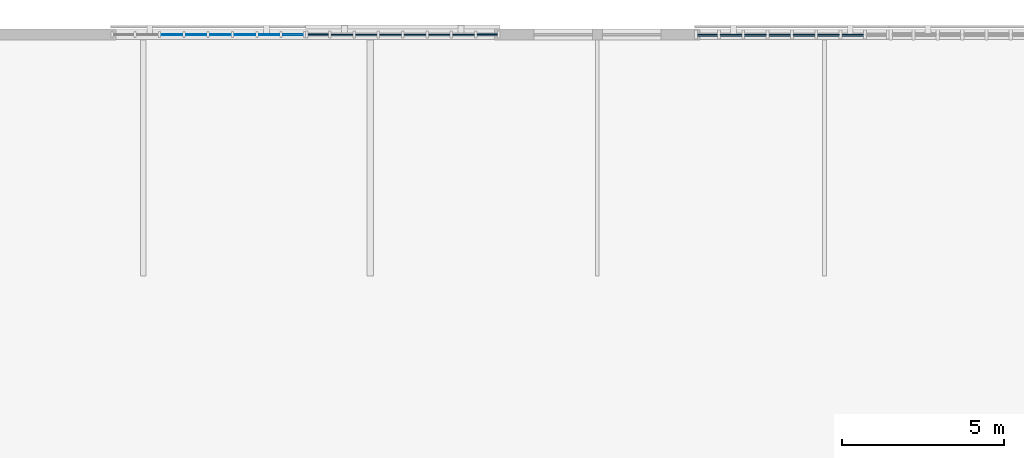
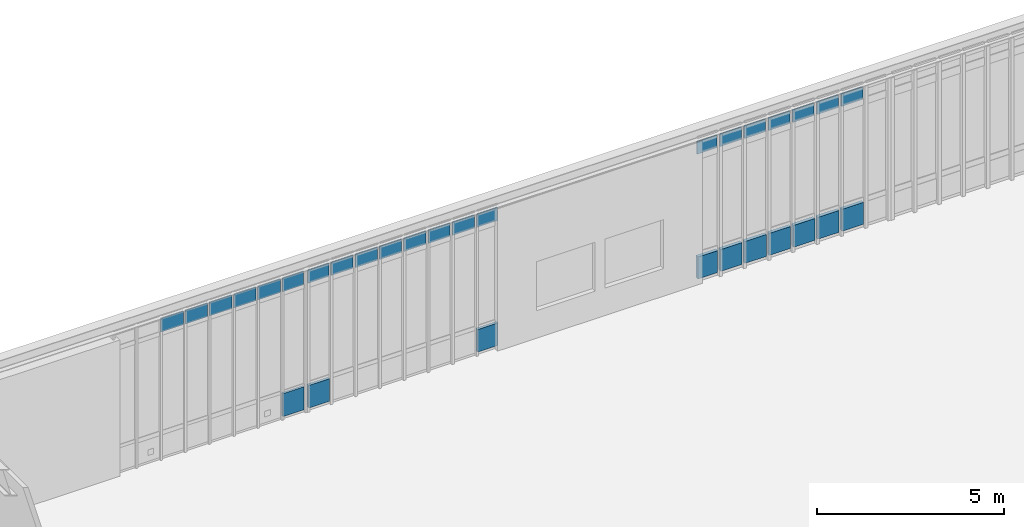
# One storey, part 100 of 135: 31 plates, 3 elements without a shape of their own.
"""IFC4 building model written with IfcOpenShell, lengths in metres."""

from ifc_helpers import new_model, si_unit, direction, frame, origin, origin_2d, place, context, subcontext, project, spatial, rectangle, extrude, material, layer, layer_set, type_object, element, aggregate, save


model = new_model("IFC4")

# Units and contexts
model_context = context("Model", 3, precision=1e-05, world=origin(), true_north=direction((0.0, 1.0)))
body_context = subcontext(model_context, "Body", "Model", "MODEL_VIEW")
ifc_project = project(units=[si_unit("LENGTHUNIT", "METRE"), si_unit("AREAUNIT", "SQUARE_METRE"), si_unit("VOLUMEUNIT", "CUBIC_METRE"), si_unit("PLANEANGLEUNIT", "RADIAN"), si_unit("MASSUNIT", "GRAM", prefix="KILO")], contexts=[model_context])

# Site, building, storey
site_placement = place(None, origin())
site = spatial("IfcSite", under=ifc_project, at=site_placement, CompositionType="ELEMENT")
building_placement = place(site_placement, origin())
building = spatial("IfcBuilding", under=site, at=building_placement, Name="Larkvane Passage Sports Hall", CompositionType="ELEMENT")
storey_placement = place(building_placement, frame((0.0, 0.0, 16.800048828125)))
storey = spatial("IfcBuildingStorey", under=building, at=storey_placement, Name="L03", CompositionType="ELEMENT", Elevation=16.800048828125)

# Curtain wall, plates
ifc_material_1 = material(Name="Thermally broken aluminium and low-E glazing", Category="aluminium")
curtain_wall_type_1 = type_object("IfcCurtainWallType", Name="CW-STICK-FOYER", PredefinedType="USERDEFINED", material=ifc_material_1)
curtain_wall_1_placement = place(storey_placement, origin())
curtain_wall_1 = element("IfcCurtainWall", 1, at=curtain_wall_1_placement, inside=storey, type_object=curtain_wall_type_1, Name="Curtain wall CW5-L03-138", ObjectType="STICK CURTAIN WALL", PredefinedType="USERDEFINED")
ifc_material_2 = material(Name="Fire-stopped shadow-box spandrel panel")
ifc_layer_1 = layer(ifc_material_2, 0.10498046875)
ifc_layer_set_1 = layer_set([ifc_layer_1], Name="Fire-stopped shadow-box spandrel panel")
plate_type_1 = type_object("IfcPlateType", Name="CWP-SPD-105", PredefinedType="CURTAIN_PANEL", material=ifc_layer_set_1)
plate_1_placement = place(storey_placement, frame((59.197509765625, 114.39990234375, 0.08984375), z_axis=(0.0, 0.0, 1.0), x_axis=(1.0, 0.0, 0.0)))
plate_1 = element("IfcPlate", 2, at=plate_1_placement, type_object=plate_type_1, Name="CW-03 panel 1.1", PredefinedType="CURTAIN_PANEL", context=body_context, shape_type="SweptSolid", body=[
    extrude(rectangle(XDim=0.614990234375, YDim=0.10498046875, at=origin_2d()), origin(), (0.0, 0.0, 1.0), 0.715087890625),
])
plate_2_placement = place(storey_placement, frame((59.925048828125, 114.39990234375, 0.08984375), z_axis=(0.0, 0.0, 1.0), x_axis=(1.0, 0.0, 0.0)))
plate_2 = element("IfcPlate", 3, at=plate_2_placement, type_object=plate_type_1, Name="CW-03 panel 2.1", PredefinedType="CURTAIN_PANEL", context=body_context, shape_type="SweptSolid", body=[
    extrude(rectangle(XDim=0.659912109375, YDim=0.10498046875, at=origin_2d()), origin(), (0.0, 0.0, 1.0), 0.715087890625),
])
plate_3_placement = place(storey_placement, frame((60.675048828125, 114.39990234375, 0.08984375), z_axis=(0.0, 0.0, 1.0), x_axis=(1.0, 0.0, 0.0)))
plate_3 = element("IfcPlate", 4, at=plate_3_placement, type_object=plate_type_1, Name="CW-03 panel 3.1", PredefinedType="CURTAIN_PANEL", context=body_context, shape_type="SweptSolid", body=[
    extrude(rectangle(XDim=0.659912109375, YDim=0.10498046875, at=origin_2d()), origin(), (0.0, 0.0, 1.0), 0.715087890625),
])
plate_4_placement = place(storey_placement, frame((61.425048828125, 114.39990234375, 0.08984375), z_axis=(0.0, 0.0, 1.0), x_axis=(1.0, 0.0, 0.0)))
plate_4 = element("IfcPlate", 5, at=plate_4_placement, type_object=plate_type_1, Name="CW-03 panel 4.1", PredefinedType="CURTAIN_PANEL", context=body_context, shape_type="SweptSolid", body=[
    extrude(rectangle(XDim=0.659912109375, YDim=0.10498046875, at=origin_2d()), origin(), (0.0, 0.0, 1.0), 0.715087890625),
])
plate_5_placement = place(storey_placement, frame((62.175048828125, 114.39990234375, 0.08984375), z_axis=(0.0, 0.0, 1.0), x_axis=(1.0, 0.0, 0.0)))
plate_5 = element("IfcPlate", 6, at=plate_5_placement, type_object=plate_type_1, Name="CW-03 panel 5.1", PredefinedType="CURTAIN_PANEL", context=body_context, shape_type="SweptSolid", body=[
    extrude(rectangle(XDim=0.659912109375, YDim=0.10498046875, at=origin_2d()), origin(), (0.0, 0.0, 1.0), 0.715087890625),
])
plate_6_placement = place(storey_placement, frame((62.925048828125, 114.39990234375, 0.08984375), z_axis=(0.0, 0.0, 1.0), x_axis=(1.0, 0.0, 0.0)))
plate_6 = element("IfcPlate", 7, at=plate_6_placement, type_object=plate_type_1, Name="CW-03 panel 6.1", PredefinedType="CURTAIN_PANEL", context=body_context, shape_type="SweptSolid", body=[
    extrude(rectangle(XDim=0.659912109375, YDim=0.10498046875, at=origin_2d()), origin(), (0.0, 0.0, 1.0), 0.715087890625),
])
plate_7_placement = place(storey_placement, frame((63.675048828125, 114.39990234375, 0.08984375), z_axis=(0.0, 0.0, 1.0), x_axis=(1.0, 0.0, 0.0)))
plate_7 = element("IfcPlate", 8, at=plate_7_placement, type_object=plate_type_1, Name="CW-03 panel 7.1", PredefinedType="CURTAIN_PANEL", context=body_context, shape_type="SweptSolid", body=[
    extrude(rectangle(XDim=0.659912109375, YDim=0.10498046875, at=origin_2d()), origin(), (0.0, 0.0, 1.0), 0.715087890625),
])

# Curtain wall, plate
curtain_wall_type_2 = type_object("IfcCurtainWallType", Name="CW-UNIT-COURT", PredefinedType="USERDEFINED", material=ifc_material_1)
curtain_wall_2_placement = place(storey_placement, origin())
curtain_wall_2 = element("IfcCurtainWall", 9, at=curtain_wall_2_placement, inside=storey, type_object=curtain_wall_type_2, Name="Curtain wall CW5-L03-136", ObjectType="UNITISED CURTAIN WALL", PredefinedType="USERDEFINED")
ifc_material_3 = material(Name="Insulated aluminium spandrel panel", Category="aluminium")
ifc_layer_2 = layer(ifc_material_3, 0.06494140625)
ifc_layer_set_2 = layer_set([ifc_layer_2], Name="Insulated aluminium spandrel panel")
plate_type_2 = type_object("IfcPlateType", Name="CWP-SPD-65", PredefinedType="CURTAIN_PANEL", material=ifc_layer_set_2)
plate_8_placement = place(storey_placement, frame((46.40869140625, 114.39990234375, 0.06494140625), z_axis=(0.0, 0.0, 1.0), x_axis=(1.0, 0.0, 0.0)))
plate_8 = element("IfcPlate", 10, at=plate_8_placement, type_object=plate_type_2, Name="CW-01 panel 8.1", PredefinedType="CURTAIN_PANEL", context=body_context, shape_type="SweptSolid", body=[
    extrude(rectangle(XDim=0.652587890625, YDim=0.06494140625, at=origin_2d()), origin(), (0.0, 0.0, 1.0), 0.75244140625),
])

# Curtain wall, plates
curtain_wall_type_3 = type_object("IfcCurtainWallType", Name="CW-UNIT-VEIL", PredefinedType="USERDEFINED", material=ifc_material_1)
curtain_wall_3_placement = place(storey_placement, origin())
curtain_wall_3 = element("IfcCurtainWall", 11, at=curtain_wall_3_placement, inside=storey, type_object=curtain_wall_type_3, Name="Curtain wall CW5-L03-137", ObjectType="UNITISED CURTAIN WALL", PredefinedType="USERDEFINED")
ifc_material_4 = material(Name="Mineral-wool insulated spandrel cassette")
ifc_layer_3 = layer(ifc_material_4, 0.0849609375)
ifc_layer_set_3 = layer_set([ifc_layer_3], Name="Mineral-wool insulated spandrel cassette")
plate_type_3 = type_object("IfcPlateType", Name="CWP-SPD-85", PredefinedType="CURTAIN_PANEL", material=ifc_layer_set_3)
plate_9_placement = place(storey_placement, frame((47.19384765625, 114.39990234375, 0.07470703125), z_axis=(0.0, 0.0, 1.0), x_axis=(1.0, 0.0, 0.0)))
plate_9 = element("IfcPlate", 12, at=plate_9_placement, type_object=plate_type_3, Name="CW-02 panel 1.1", PredefinedType="CURTAIN_PANEL", context=body_context, shape_type="SweptSolid", body=[
    extrude(rectangle(XDim=0.637451171875, YDim=0.0849609375, at=origin_2d()), origin(), (0.0, 0.0, 1.0), 0.737548828125),
])
plate_10_placement = place(storey_placement, frame((52.40625, 114.39990234375, 0.07470703125), z_axis=(0.0, 0.0, 1.0), x_axis=(1.0, 0.0, 0.0)))
plate_10 = element("IfcPlate", 13, at=plate_10_placement, type_object=plate_type_3, Name="CW-02 panel 8.1", PredefinedType="CURTAIN_PANEL", context=body_context, shape_type="SweptSolid", body=[
    extrude(rectangle(XDim=0.637451171875, YDim=0.0849609375, at=origin_2d()), origin(), (0.0, 0.0, 1.0), 0.737548828125),
])

# Plate
ifc_material_5 = material(Name="Solar-control low-E double glazing", Category="glass")
ifc_layer_4 = layer(ifc_material_5, 0.028076171875)
ifc_layer_set_4 = layer_set([ifc_layer_4], Name="Solar-control low-E double glazing")
plate_type_4 = type_object("IfcPlateType", Name="CWP-VIS-28", PredefinedType="CURTAIN_PANEL", material=ifc_layer_set_4)
plate_11_placement = place(storey_placement, frame((42.675048828125, 114.39990234375, 4.13037109375), z_axis=(0.0, 0.0, 1.0), x_axis=(1.0, 0.0, 0.0)))
plate_11 = element("IfcPlate", 14, at=plate_11_placement, type_object=plate_type_4, Name="CW-01 panel 3.3", PredefinedType="CURTAIN_PANEL", context=body_context, shape_type="SweptSolid", body=[
    extrude(rectangle(XDim=0.68505859375, YDim=0.028076171875, at=origin_2d()), origin(), (0.0, 0.0, 1.0), 0.452392578125),
])

plate_12_placement = place(storey_placement, frame((43.425048828125, 114.39990234375, 4.13037109375), z_axis=(0.0, 0.0, 1.0), x_axis=(1.0, 0.0, 0.0)))
plate_12 = element("IfcPlate", 15, at=plate_12_placement, type_object=plate_type_4, Name="CW-01 panel 4.3", PredefinedType="CURTAIN_PANEL", context=body_context, shape_type="SweptSolid", body=[
    extrude(rectangle(XDim=0.68505859375, YDim=0.028076171875, at=origin_2d()), origin(), (0.0, 0.0, 1.0), 0.452392578125),
])

plate_13_placement = place(storey_placement, frame((44.175048828125, 114.39990234375, 4.13037109375), z_axis=(0.0, 0.0, 1.0), x_axis=(1.0, 0.0, 0.0)))
plate_13 = element("IfcPlate", 16, at=plate_13_placement, type_object=plate_type_4, Name="CW-01 panel 5.3", PredefinedType="CURTAIN_PANEL", context=body_context, shape_type="SweptSolid", body=[
    extrude(rectangle(XDim=0.68505859375, YDim=0.028076171875, at=origin_2d()), origin(), (0.0, 0.0, 1.0), 0.452392578125),
])

plate_14_placement = place(storey_placement, frame((44.925048828125, 114.39990234375, 4.13037109375), z_axis=(0.0, 0.0, 1.0), x_axis=(1.0, 0.0, 0.0)))
plate_14 = element("IfcPlate", 17, at=plate_14_placement, type_object=plate_type_4, Name="CW-01 panel 6.3", PredefinedType="CURTAIN_PANEL", context=body_context, shape_type="SweptSolid", body=[
    extrude(rectangle(XDim=0.68505859375, YDim=0.028076171875, at=origin_2d()), origin(), (0.0, 0.0, 1.0), 0.452392578125),
])

plate_15_placement = place(storey_placement, frame((45.675048828125, 114.39990234375, 4.13037109375), z_axis=(0.0, 0.0, 1.0), x_axis=(1.0, 0.0, 0.0)))
plate_15 = element("IfcPlate", 18, at=plate_15_placement, type_object=plate_type_4, Name="CW-01 panel 7.3", PredefinedType="CURTAIN_PANEL", context=body_context, shape_type="SweptSolid", body=[
    extrude(rectangle(XDim=0.68505859375, YDim=0.028076171875, at=origin_2d()), origin(), (0.0, 0.0, 1.0), 0.452392578125),
])

plate_16_placement = place(storey_placement, frame((46.40869140625, 114.39990234375, 4.13037109375), z_axis=(0.0, 0.0, 1.0), x_axis=(1.0, 0.0, 0.0)))
plate_16 = element("IfcPlate", 19, at=plate_16_placement, type_object=plate_type_4, Name="CW-01 panel 8.3", PredefinedType="CURTAIN_PANEL", context=body_context, shape_type="SweptSolid", body=[
    extrude(rectangle(XDim=0.652587890625, YDim=0.028076171875, at=origin_2d()), origin(), (0.0, 0.0, 1.0), 0.452392578125),
])

aggregate(curtain_wall_2, [plate_11, plate_12, plate_13, plate_14, plate_15, plate_8, plate_16])

ifc_material_6 = material(Name="Laminated acoustic low-E glazing", Category="glass")
ifc_layer_5 = layer(ifc_material_6, 0.031982421875)
ifc_layer_set_5 = layer_set([ifc_layer_5], Name="Laminated acoustic low-E glazing")
plate_type_5 = type_object("IfcPlateType", Name="CWP-VIS-32", PredefinedType="CURTAIN_PANEL", material=ifc_layer_set_5)
plate_17_placement = place(storey_placement, frame((47.19384765625, 114.39990234375, 4.135498046875), z_axis=(0.0, 0.0, 1.0), x_axis=(1.0, 0.0, 0.0)))
plate_17 = element("IfcPlate", 20, at=plate_17_placement, type_object=plate_type_5, Name="CW-02 panel 1.3", PredefinedType="CURTAIN_PANEL", context=body_context, shape_type="SweptSolid", body=[
    extrude(rectangle(XDim=0.637451171875, YDim=0.031982421875, at=origin_2d()), origin(), (0.0, 0.0, 1.0), 0.4375),
])

plate_18_placement = place(storey_placement, frame((47.925048828125, 114.39990234375, 4.135498046875), z_axis=(0.0, 0.0, 1.0), x_axis=(1.0, 0.0, 0.0)))
plate_18 = element("IfcPlate", 21, at=plate_18_placement, type_object=plate_type_5, Name="CW-02 panel 2.3", PredefinedType="CURTAIN_PANEL", context=body_context, shape_type="SweptSolid", body=[
    extrude(rectangle(XDim=0.675048828125, YDim=0.031982421875, at=origin_2d()), origin(), (0.0, 0.0, 1.0), 0.4375),
])

plate_19_placement = place(storey_placement, frame((48.675048828125, 114.39990234375, 4.135498046875), z_axis=(0.0, 0.0, 1.0), x_axis=(1.0, 0.0, 0.0)))
plate_19 = element("IfcPlate", 22, at=plate_19_placement, type_object=plate_type_5, Name="CW-02 panel 3.3", PredefinedType="CURTAIN_PANEL", context=body_context, shape_type="SweptSolid", body=[
    extrude(rectangle(XDim=0.675048828125, YDim=0.031982421875, at=origin_2d()), origin(), (0.0, 0.0, 1.0), 0.4375),
])

plate_20_placement = place(storey_placement, frame((49.425048828125, 114.39990234375, 4.135498046875), z_axis=(0.0, 0.0, 1.0), x_axis=(1.0, 0.0, 0.0)))
plate_20 = element("IfcPlate", 23, at=plate_20_placement, type_object=plate_type_5, Name="CW-02 panel 4.3", PredefinedType="CURTAIN_PANEL", context=body_context, shape_type="SweptSolid", body=[
    extrude(rectangle(XDim=0.675048828125, YDim=0.031982421875, at=origin_2d()), origin(), (0.0, 0.0, 1.0), 0.4375),
])

plate_21_placement = place(storey_placement, frame((50.175048828125, 114.39990234375, 4.135498046875), z_axis=(0.0, 0.0, 1.0), x_axis=(1.0, 0.0, 0.0)))
plate_21 = element("IfcPlate", 24, at=plate_21_placement, type_object=plate_type_5, Name="CW-02 panel 5.3", PredefinedType="CURTAIN_PANEL", context=body_context, shape_type="SweptSolid", body=[
    extrude(rectangle(XDim=0.675048828125, YDim=0.031982421875, at=origin_2d()), origin(), (0.0, 0.0, 1.0), 0.4375),
])

plate_22_placement = place(storey_placement, frame((50.925048828125, 114.39990234375, 4.135498046875), z_axis=(0.0, 0.0, 1.0), x_axis=(1.0, 0.0, 0.0)))
plate_22 = element("IfcPlate", 25, at=plate_22_placement, type_object=plate_type_5, Name="CW-02 panel 6.3", PredefinedType="CURTAIN_PANEL", context=body_context, shape_type="SweptSolid", body=[
    extrude(rectangle(XDim=0.675048828125, YDim=0.031982421875, at=origin_2d()), origin(), (0.0, 0.0, 1.0), 0.4375),
])

plate_23_placement = place(storey_placement, frame((51.675048828125, 114.39990234375, 4.135498046875), z_axis=(0.0, 0.0, 1.0), x_axis=(1.0, 0.0, 0.0)))
plate_23 = element("IfcPlate", 26, at=plate_23_placement, type_object=plate_type_5, Name="CW-02 panel 7.3", PredefinedType="CURTAIN_PANEL", context=body_context, shape_type="SweptSolid", body=[
    extrude(rectangle(XDim=0.675048828125, YDim=0.031982421875, at=origin_2d()), origin(), (0.0, 0.0, 1.0), 0.4375),
])

plate_24_placement = place(storey_placement, frame((52.40625, 114.39990234375, 4.135498046875), z_axis=(0.0, 0.0, 1.0), x_axis=(1.0, 0.0, 0.0)))
plate_24 = element("IfcPlate", 27, at=plate_24_placement, type_object=plate_type_5, Name="CW-02 panel 8.3", PredefinedType="CURTAIN_PANEL", context=body_context, shape_type="SweptSolid", body=[
    extrude(rectangle(XDim=0.637451171875, YDim=0.031982421875, at=origin_2d()), origin(), (0.0, 0.0, 1.0), 0.4375),
])

aggregate(curtain_wall_3, [plate_9, plate_17, plate_18, plate_19, plate_20, plate_21, plate_22, plate_23, plate_10, plate_24])

ifc_material_7 = material(Name="High-impact court low-E glazing", Category="glass")
ifc_layer_6 = layer(ifc_material_7, 0.035888671875)
ifc_layer_set_6 = layer_set([ifc_layer_6], Name="High-impact court low-E glazing")
plate_type_6 = type_object("IfcPlateType", Name="CWP-VIS-36", PredefinedType="CURTAIN_PANEL", material=ifc_layer_set_6)
plate_25_placement = place(storey_placement, frame((59.197509765625, 114.39990234375, 4.142822265625), z_axis=(0.0, 0.0, 1.0), x_axis=(1.0, 0.0, 0.0)))
plate_25 = element("IfcPlate", 28, at=plate_25_placement, type_object=plate_type_6, Name="CW-03 panel 1.3", PredefinedType="CURTAIN_PANEL", context=body_context, shape_type="SweptSolid", body=[
    extrude(rectangle(XDim=0.614990234375, YDim=0.035888671875, at=origin_2d()), origin(), (0.0, 0.0, 1.0), 0.4150390625),
])

plate_26_placement = place(storey_placement, frame((59.925048828125, 114.39990234375, 4.142822265625), z_axis=(0.0, 0.0, 1.0), x_axis=(1.0, 0.0, 0.0)))
plate_26 = element("IfcPlate", 29, at=plate_26_placement, type_object=plate_type_6, Name="CW-03 panel 2.3", PredefinedType="CURTAIN_PANEL", context=body_context, shape_type="SweptSolid", body=[
    extrude(rectangle(XDim=0.659912109375, YDim=0.035888671875, at=origin_2d()), origin(), (0.0, 0.0, 1.0), 0.4150390625),
])

plate_27_placement = place(storey_placement, frame((60.675048828125, 114.39990234375, 4.142822265625), z_axis=(0.0, 0.0, 1.0), x_axis=(1.0, 0.0, 0.0)))
plate_27 = element("IfcPlate", 30, at=plate_27_placement, type_object=plate_type_6, Name="CW-03 panel 3.3", PredefinedType="CURTAIN_PANEL", context=body_context, shape_type="SweptSolid", body=[
    extrude(rectangle(XDim=0.659912109375, YDim=0.035888671875, at=origin_2d()), origin(), (0.0, 0.0, 1.0), 0.4150390625),
])

plate_28_placement = place(storey_placement, frame((61.425048828125, 114.39990234375, 4.142822265625), z_axis=(0.0, 0.0, 1.0), x_axis=(1.0, 0.0, 0.0)))
plate_28 = element("IfcPlate", 31, at=plate_28_placement, type_object=plate_type_6, Name="CW-03 panel 4.3", PredefinedType="CURTAIN_PANEL", context=body_context, shape_type="SweptSolid", body=[
    extrude(rectangle(XDim=0.659912109375, YDim=0.035888671875, at=origin_2d()), origin(), (0.0, 0.0, 1.0), 0.4150390625),
])

plate_29_placement = place(storey_placement, frame((62.175048828125, 114.39990234375, 4.142822265625), z_axis=(0.0, 0.0, 1.0), x_axis=(1.0, 0.0, 0.0)))
plate_29 = element("IfcPlate", 32, at=plate_29_placement, type_object=plate_type_6, Name="CW-03 panel 5.3", PredefinedType="CURTAIN_PANEL", context=body_context, shape_type="SweptSolid", body=[
    extrude(rectangle(XDim=0.659912109375, YDim=0.035888671875, at=origin_2d()), origin(), (0.0, 0.0, 1.0), 0.4150390625),
])

plate_30_placement = place(storey_placement, frame((62.925048828125, 114.39990234375, 4.142822265625), z_axis=(0.0, 0.0, 1.0), x_axis=(1.0, 0.0, 0.0)))
plate_30 = element("IfcPlate", 33, at=plate_30_placement, type_object=plate_type_6, Name="CW-03 panel 6.3", PredefinedType="CURTAIN_PANEL", context=body_context, shape_type="SweptSolid", body=[
    extrude(rectangle(XDim=0.659912109375, YDim=0.035888671875, at=origin_2d()), origin(), (0.0, 0.0, 1.0), 0.4150390625),
])

plate_31_placement = place(storey_placement, frame((63.675048828125, 114.39990234375, 4.142822265625), z_axis=(0.0, 0.0, 1.0), x_axis=(1.0, 0.0, 0.0)))
plate_31 = element("IfcPlate", 34, at=plate_31_placement, type_object=plate_type_6, Name="CW-03 panel 7.3", PredefinedType="CURTAIN_PANEL", context=body_context, shape_type="SweptSolid", body=[
    extrude(rectangle(XDim=0.659912109375, YDim=0.035888671875, at=origin_2d()), origin(), (0.0, 0.0, 1.0), 0.4150390625),
])

aggregate(curtain_wall_1, [plate_1, plate_25, plate_2, plate_26, plate_3, plate_27, plate_4, plate_28, plate_5, plate_29, plate_6, plate_30, plate_7, plate_31])

save(model, "model.ifc")
